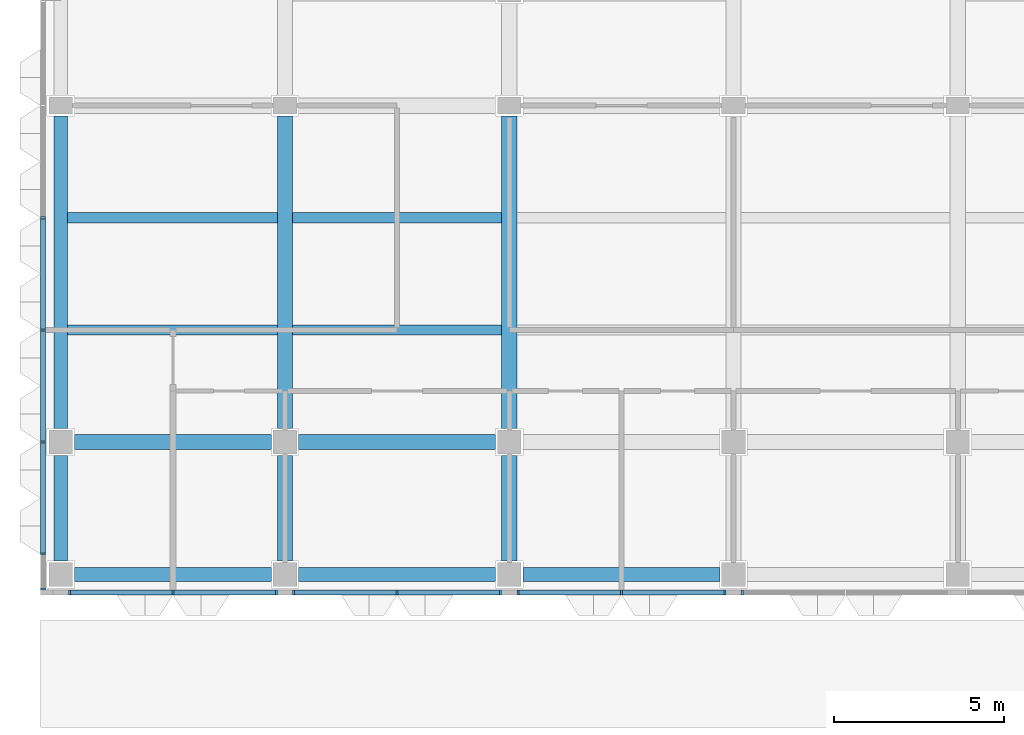
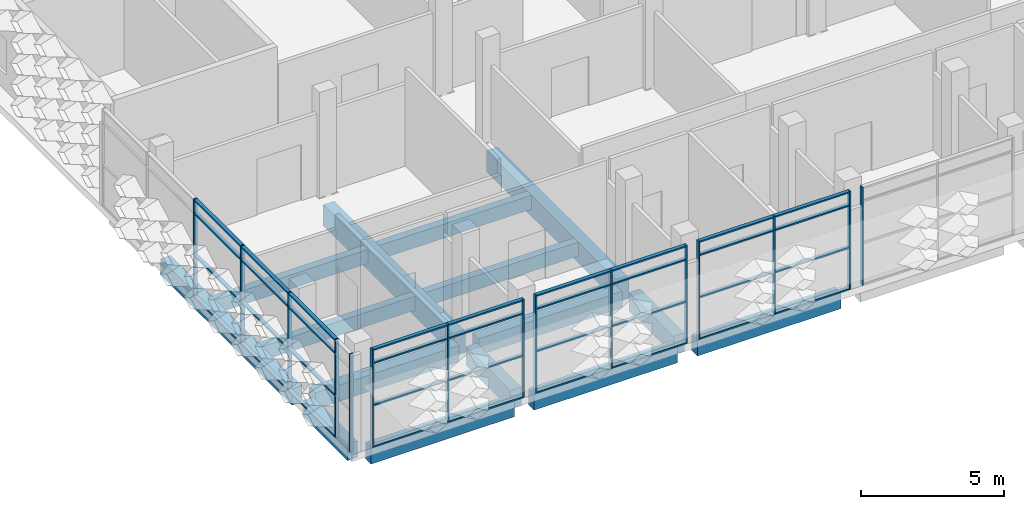
# One storey, part 5 of 109: 51 members, 15 beams, 5 elements without a shape of their own.
"""IFC4 building model written with IfcOpenShell, lengths in metres."""

from ifc_helpers import new_model, si_unit, direction, frame, origin, origin_2d, place, context, subcontext, project, spatial, rectangle, extrude, material, material_profile, profile_set, type_object, element, aggregate, save


model = new_model("IFC4")

# Units and contexts
model_context = context("Model", 3, precision=1e-05, world=origin(), true_north=direction((0.0, 1.0)))
body_context = subcontext(model_context, "Body", "Model", "MODEL_VIEW")
ifc_project = project(units=[si_unit("LENGTHUNIT", "METRE"), si_unit("AREAUNIT", "SQUARE_METRE"), si_unit("VOLUMEUNIT", "CUBIC_METRE"), si_unit("PLANEANGLEUNIT", "RADIAN"), si_unit("MASSUNIT", "GRAM", prefix="KILO")], contexts=[model_context])

# Site, building, storey
site_placement = place(None, origin())
site = spatial("IfcSite", under=ifc_project, at=site_placement, CompositionType="ELEMENT")
building_placement = place(site_placement, origin())
building = spatial("IfcBuilding", under=site, at=building_placement, Name="Lantern Court Research Institute", CompositionType="ELEMENT")
storey_placement = place(building_placement, frame((0.0, 0.0, 14.39990234375)))
storey = spatial("IfcBuildingStorey", under=building, at=storey_placement, Name="L03", CompositionType="ELEMENT", Elevation=14.39990234375)

# Curtain wall, members
ifc_material_1 = material(Name="Aluminium alloy 6063-T6", Category="aluminium")
curtain_wall_type_1 = type_object("IfcCurtainWallType", Name="Curtain wall 6150 x 4200 x 150 aluminium frame", PredefinedType="NOTDEFINED", material=ifc_material_1)
curtain_wall_1_placement = place(storey_placement, origin())
curtain_wall_1 = element("IfcCurtainWall", 1, at=curtain_wall_1_placement, inside=storey, type_object=curtain_wall_type_1, Name="Curtain wall CW048", PredefinedType="NOTDEFINED")
ifc_material_2 = material(Name="Aluminium alloy 6063-T6", Category="aluminium")
ifc_material_profile_1 = material_profile(ifc_material_2, rectangle(XDim=0.14990234375, YDim=0.06005859375, at=origin_2d()), Name="Mullion 150 x 60")
ifc_profile_set_1 = profile_set([ifc_material_profile_1], Name="Aluminium alloy 6063-T6")
member_type_1 = type_object("IfcMemberType", Name="Mullion 150 x 60 aluminium", PredefinedType="MULLION", material=ifc_profile_set_1)
member_1_placement = place(storey_placement, frame((0.2548828125, -4.425048828125, 0.0), z_axis=(0.0, 0.0, 1.0), x_axis=(0.0, -1.0, 0.0)))
member_1 = element("IfcMember", 2, at=member_1_placement, type_object=member_type_1, Name="CW048 mullion 1", PredefinedType="MULLION", context=body_context, shape_type="SweptSolid", body=[
    extrude(rectangle(XDim=0.14990234375, YDim=0.06005859375, at=origin_2d()), origin(), (0.0, 0.0, 1.0), 4.2001953125),
])
member_2_placement = place(storey_placement, frame((3.300048828125, -4.425048828125, 0.0), z_axis=(0.0, 0.0, 1.0), x_axis=(0.0, -1.0, 0.0)))
member_2 = element("IfcMember", 3, at=member_2_placement, type_object=member_type_1, Name="CW048 mullion 2", PredefinedType="MULLION", context=body_context, shape_type="SweptSolid", body=[
    extrude(rectangle(XDim=0.14990234375, YDim=0.06005859375, at=origin_2d()), origin(), (0.0, 0.0, 1.0), 4.2001953125),
])
member_3_placement = place(storey_placement, frame((6.344970703125, -4.425048828125, 0.0), z_axis=(0.0, 0.0, 1.0), x_axis=(0.0, -1.0, 0.0)))
member_3 = element("IfcMember", 4, at=member_3_placement, type_object=member_type_1, Name="CW048 mullion 3", PredefinedType="MULLION", context=body_context, shape_type="SweptSolid", body=[
    extrude(rectangle(XDim=0.14990234375, YDim=0.06005859375, at=origin_2d()), origin(), (0.0, 0.0, 1.0), 4.2001953125),
])

curtain_wall_2_placement = place(storey_placement, origin())
curtain_wall_2 = element("IfcCurtainWall", 5, at=curtain_wall_2_placement, inside=storey, type_object=curtain_wall_type_1, Name="Curtain wall CW049", PredefinedType="NOTDEFINED")
member_4_placement = place(storey_placement, frame((6.85498046875, -4.425048828125, 0.0), z_axis=(0.0, 0.0, 1.0), x_axis=(0.0, -1.0, 0.0)))
member_4 = element("IfcMember", 6, at=member_4_placement, type_object=member_type_1, Name="CW049 mullion 1", PredefinedType="MULLION", context=body_context, shape_type="SweptSolid", body=[
    extrude(rectangle(XDim=0.14990234375, YDim=0.06005859375, at=origin_2d()), origin(), (0.0, 0.0, 1.0), 4.2001953125),
])
member_5_placement = place(storey_placement, frame((9.89990234375, -4.425048828125, 0.0), z_axis=(0.0, 0.0, 1.0), x_axis=(0.0, -1.0, 0.0)))
member_5 = element("IfcMember", 7, at=member_5_placement, type_object=member_type_1, Name="CW049 mullion 2", PredefinedType="MULLION", context=body_context, shape_type="SweptSolid", body=[
    extrude(rectangle(XDim=0.14990234375, YDim=0.06005859375, at=origin_2d()), origin(), (0.0, 0.0, 1.0), 4.2001953125),
])
member_6_placement = place(storey_placement, frame((12.945068359375, -4.425048828125, 0.0), z_axis=(0.0, 0.0, 1.0), x_axis=(0.0, -1.0, 0.0)))
member_6 = element("IfcMember", 8, at=member_6_placement, type_object=member_type_1, Name="CW049 mullion 3", PredefinedType="MULLION", context=body_context, shape_type="SweptSolid", body=[
    extrude(rectangle(XDim=0.14990234375, YDim=0.06005859375, at=origin_2d()), origin(), (0.0, 0.0, 1.0), 4.2001953125),
])

curtain_wall_3_placement = place(storey_placement, origin())
curtain_wall_3 = element("IfcCurtainWall", 9, at=curtain_wall_3_placement, inside=storey, type_object=curtain_wall_type_1, Name="Curtain wall CW050", PredefinedType="NOTDEFINED")
member_7_placement = place(storey_placement, frame((13.455078125, -4.425048828125, 0.0), z_axis=(0.0, 0.0, 1.0), x_axis=(0.0, -1.0, 0.0)))
member_7 = element("IfcMember", 10, at=member_7_placement, type_object=member_type_1, Name="CW050 mullion 1", PredefinedType="MULLION", context=body_context, shape_type="SweptSolid", body=[
    extrude(rectangle(XDim=0.14990234375, YDim=0.06005859375, at=origin_2d()), origin(), (0.0, 0.0, 1.0), 4.2001953125),
])
member_8_placement = place(storey_placement, frame((16.5, -4.425048828125, 0.0), z_axis=(0.0, 0.0, 1.0), x_axis=(0.0, -1.0, 0.0)))
member_8 = element("IfcMember", 11, at=member_8_placement, type_object=member_type_1, Name="CW050 mullion 2", PredefinedType="MULLION", context=body_context, shape_type="SweptSolid", body=[
    extrude(rectangle(XDim=0.14990234375, YDim=0.06005859375, at=origin_2d()), origin(), (0.0, 0.0, 1.0), 4.2001953125),
])
member_9_placement = place(storey_placement, frame((19.544921875, -4.425048828125, 0.0), z_axis=(0.0, 0.0, 1.0), x_axis=(0.0, -1.0, 0.0)))
member_9 = element("IfcMember", 12, at=member_9_placement, type_object=member_type_1, Name="CW050 mullion 3", PredefinedType="MULLION", context=body_context, shape_type="SweptSolid", body=[
    extrude(rectangle(XDim=0.14990234375, YDim=0.06005859375, at=origin_2d()), origin(), (0.0, 0.0, 1.0), 4.2001953125),
])

# Curtain wall, member
curtain_wall_4_placement = place(storey_placement, origin())
curtain_wall_4 = element("IfcCurtainWall", 13, at=curtain_wall_4_placement, inside=storey, type_object=curtain_wall_type_1, Name="Curtain wall CW051", PredefinedType="NOTDEFINED")
member_10_placement = place(storey_placement, frame((20.054931640625, -4.425048828125, 0.0), z_axis=(0.0, 0.0, 1.0), x_axis=(0.0, -1.0, 0.0)))
member_10 = element("IfcMember", 14, at=member_10_placement, type_object=member_type_1, Name="CW051 mullion 1", PredefinedType="MULLION", context=body_context, shape_type="SweptSolid", body=[
    extrude(rectangle(XDim=0.14990234375, YDim=0.06005859375, at=origin_2d()), origin(), (0.0, 0.0, 1.0), 4.2001953125),
])
aggregate(curtain_wall_4, [member_10])

# Curtain wall, members
ifc_material_3 = material(Name="Aluminium alloy 6063-T6", Category="aluminium")
curtain_wall_type_2 = type_object("IfcCurtainWallType", Name="Curtain wall 17350 x 4200 x 150 aluminium frame", PredefinedType="NOTDEFINED", material=ifc_material_3)
curtain_wall_5_placement = place(storey_placement, origin())
curtain_wall_5 = element("IfcCurtainWall", 15, at=curtain_wall_5_placement, inside=storey, type_object=curtain_wall_type_2, Name="Curtain wall CW056", PredefinedType="NOTDEFINED")
member_11_placement = place(storey_placement, frame((-0.52490234375, -4.320068359375, 0.0), z_axis=(0.0, 0.0, 1.0), x_axis=(-1.0, 0.0, 0.0)))
member_11 = element("IfcMember", 16, at=member_11_placement, type_object=member_type_1, Name="CW056 mullion 1", PredefinedType="MULLION", context=body_context, shape_type="SweptSolid", body=[
    extrude(rectangle(XDim=0.14990234375, YDim=0.06005859375, at=origin_2d()), origin(), (0.0, 0.0, 1.0), 4.2001953125),
])
member_12_placement = place(storey_placement, frame((-0.52490234375, -3.300048828125, 0.0), z_axis=(0.0, 0.0, 1.0), x_axis=(-1.0, 0.0, 0.0)))
member_12 = element("IfcMember", 17, at=member_12_placement, type_object=member_type_1, Name="CW056 mullion 2", PredefinedType="MULLION", context=body_context, shape_type="SweptSolid", body=[
    extrude(rectangle(XDim=0.14990234375, YDim=0.06005859375, at=origin_2d()), origin(), (0.0, 0.0, 1.0), 4.2001953125),
])
member_13_placement = place(storey_placement, frame((-0.52490234375, 0.0, 0.0), z_axis=(0.0, 0.0, 1.0), x_axis=(-1.0, 0.0, 0.0)))
member_13 = element("IfcMember", 18, at=member_13_placement, type_object=member_type_1, Name="CW056 mullion 3", PredefinedType="MULLION", context=body_context, shape_type="SweptSolid", body=[
    extrude(rectangle(XDim=0.14990234375, YDim=0.06005859375, at=origin_2d()), origin(), (0.0, 0.0, 1.0), 4.2001953125),
])
member_14_placement = place(storey_placement, frame((-0.52490234375, 3.300048828125, 0.0), z_axis=(0.0, 0.0, 1.0), x_axis=(-1.0, 0.0, 0.0)))
member_14 = element("IfcMember", 19, at=member_14_placement, type_object=member_type_1, Name="CW056 mullion 4", PredefinedType="MULLION", context=body_context, shape_type="SweptSolid", body=[
    extrude(rectangle(XDim=0.14990234375, YDim=0.06005859375, at=origin_2d()), origin(), (0.0, 0.0, 1.0), 4.2001953125),
])
member_15_placement = place(storey_placement, frame((-0.52490234375, 6.60009765625, 0.0), z_axis=(0.0, 0.0, 1.0), x_axis=(-1.0, 0.0, 0.0)))
member_15 = element("IfcMember", 20, at=member_15_placement, type_object=member_type_1, Name="CW056 mullion 5", PredefinedType="MULLION", context=body_context, shape_type="SweptSolid", body=[
    extrude(rectangle(XDim=0.14990234375, YDim=0.06005859375, at=origin_2d()), origin(), (0.0, 0.0, 1.0), 4.2001953125),
])

# Beams
ifc_material_4 = material(Name="Concrete C40/50", Category="concrete")
ifc_material_profile_2 = material_profile(ifc_material_4, rectangle(XDim=0.449951171875, YDim=0.699951171875, at=origin_2d()), Name="RC beam 450 x 700")
ifc_profile_set_2 = profile_set([ifc_material_profile_2], Name="Concrete C40/50")
beam_type_1 = type_object("IfcBeamType", Name="RC beam 450 x 700", PredefinedType="BEAM", material=ifc_profile_set_2)
for number, where, z_axis, x_axis, name in (
    (21, (0.39990234375, 0.0, -0.64990234375), (1.0, 0.0, 0.0), (0.0, 1.0, 0.0), "Beam L03 grid A/1-2"),
    (22, (7.0, 0.0, -0.64990234375), (1.0, 0.0, 0.0), (0.0, 1.0, 0.0), "Beam L03 grid A/2-3"),
):
    element("IfcBeam", number, at=place(storey_placement, frame(where, z_axis=z_axis, x_axis=x_axis)), inside=storey, type_object=beam_type_1, Name=name, PredefinedType="BEAM", context=body_context, shape_type="SweptSolid", body=[
        extrude(rectangle(XDim=0.449951171875, YDim=0.699951171875, at=origin_2d()), origin(), (0.0, 0.0, 1.0), 5.800048828125),
    ])
ifc_material_5 = material(Name="Concrete C40/50", Category="concrete")
ifc_material_profile_3 = material_profile(ifc_material_5, rectangle(XDim=0.39990234375, YDim=0.699951171875, at=origin_2d()), Name="RC beam 400 x 700")
ifc_profile_set_3 = profile_set([ifc_material_profile_3], Name="Concrete C40/50")
beam_type_2 = type_object("IfcBeamType", Name="RC edge beam 400 x 700", PredefinedType="BEAM", material=ifc_profile_set_3)
beam_1_placement = place(storey_placement, frame((0.0, -3.5, -0.64990234375), z_axis=(0.0, 1.0, 0.0), x_axis=(-1.0, 0.0, 0.0)))
element("IfcBeam", 23, at=beam_1_placement, inside=storey, type_object=beam_type_2, Name="Edge beam L03 grid 1/Y-A", PredefinedType="BEAM", context=body_context, shape_type="SweptSolid", body=[
    extrude(rectangle(XDim=0.39990234375, YDim=0.699951171875, at=origin_2d()), origin(), (0.0, 0.0, 1.0), 3.10009765625),
])
beam_2_placement = place(storey_placement, frame((0.0, 0.39990234375, -0.64990234375), z_axis=(0.0, 1.0, 0.0), x_axis=(-1.0, 0.0, 0.0)))
element("IfcBeam", 24, at=beam_2_placement, inside=storey, type_object=beam_type_2, Name="Edge beam L03 grid 1/A-B", PredefinedType="BEAM", context=body_context, shape_type="SweptSolid", body=[
    extrude(rectangle(XDim=0.39990234375, YDim=0.699951171875, at=origin_2d()), origin(), (0.0, 0.0, 1.0), 9.2001953125),
])
for number, where, z_axis, x_axis, name in (
    (25, (0.39990234375, -3.89990234375, -0.64990234375), (1.0, 0.0, 0.0), (0.0, 1.0, 0.0), "Edge beam L03 grid Y/1-2"),
    (26, (7.0, -3.89990234375, -0.64990234375), (1.0, 0.0, 0.0), (0.0, 1.0, 0.0), "Edge beam L03 grid Y/2-3"),
):
    element("IfcBeam", number, at=place(storey_placement, frame(where, z_axis=z_axis, x_axis=x_axis)), inside=storey, type_object=beam_type_2, Name=name, PredefinedType="BEAM", context=body_context, shape_type="SweptSolid", body=[
        extrude(rectangle(XDim=0.39990234375, YDim=0.699951171875, at=origin_2d()), origin(), (0.0, 0.0, 1.0), 5.800048828125),
    ])
beam_3_placement = place(storey_placement, frame((13.60009765625, -3.89990234375, -0.64990234375), z_axis=(1.0, 0.0, 0.0), x_axis=(0.0, 1.0, 0.0)))
element("IfcBeam", 27, at=beam_3_placement, inside=storey, type_object=beam_type_2, Name="Edge beam L03 grid Y/3-4", PredefinedType="BEAM", context=body_context, shape_type="SweptSolid", body=[
    extrude(rectangle(XDim=0.39990234375, YDim=0.699951171875, at=origin_2d()), origin(), (0.0, 0.0, 1.0), 5.7998046875),
])
ifc_material_6 = material(Name="Concrete C40/50", Category="concrete")
ifc_material_profile_4 = material_profile(ifc_material_6, rectangle(XDim=0.449951171875, YDim=0.800048828125, at=origin_2d()), Name="RC beam 450 x 800")
ifc_profile_set_4 = profile_set([ifc_material_profile_4], Name="Concrete C40/50")
beam_type_3 = type_object("IfcBeamType", Name="RC girder 450 x 800", PredefinedType="BEAM", material=ifc_profile_set_4)
for number, where, z_axis, x_axis, name in (
    (28, (6.60009765625, -3.5, -0.699951171875), (0.0, 1.0, 0.0), (-1.0, 0.0, 0.0), "Girder L03 grid 2/Y-A"),
    (29, (13.199951171875, -3.5, -0.699951171875), (0.0, 1.0, 0.0), (-1.0, 0.0, 0.0), "Girder L03 grid 3/Y-A"),
):
    element("IfcBeam", number, at=place(storey_placement, frame(where, z_axis=z_axis, x_axis=x_axis)), inside=storey, type_object=beam_type_3, Name=name, PredefinedType="BEAM", context=body_context, shape_type="SweptSolid", body=[
        extrude(rectangle(XDim=0.449951171875, YDim=0.800048828125, at=origin_2d()), origin(), (0.0, 0.0, 1.0), 3.10009765625),
    ])
ifc_material_7 = material(Name="Concrete C40/50", Category="concrete")
ifc_material_profile_5 = material_profile(ifc_material_7, rectangle(XDim=0.449951171875, YDim=0.89990234375, at=origin_2d()), Name="RC beam 450 x 900")
ifc_profile_set_5 = profile_set([ifc_material_profile_5], Name="Concrete C40/50")
beam_type_4 = type_object("IfcBeamType", Name="RC girder 450 x 900", PredefinedType="BEAM", material=ifc_profile_set_5)
for number, where, z_axis, x_axis, name in (
    (30, (6.60009765625, 0.39990234375, -0.75), (0.0, 1.0, 0.0), (-1.0, 0.0, 0.0), "Girder L03 grid 2/A-B"),
    (31, (13.199951171875, 0.39990234375, -0.75), (0.0, 1.0, 0.0), (-1.0, 0.0, 0.0), "Girder L03 grid 3/A-B"),
):
    element("IfcBeam", number, at=place(storey_placement, frame(where, z_axis=z_axis, x_axis=x_axis)), inside=storey, type_object=beam_type_4, Name=name, PredefinedType="BEAM", context=body_context, shape_type="SweptSolid", body=[
        extrude(rectangle(XDim=0.449951171875, YDim=0.89990234375, at=origin_2d()), origin(), (0.0, 0.0, 1.0), 9.2001953125),
    ])
ifc_material_8 = material(Name="Concrete C40/50", Category="concrete")
ifc_material_profile_6 = material_profile(ifc_material_8, rectangle(XDim=0.300048828125, YDim=0.60009765625, at=origin_2d()), Name="RC beam 300 x 600")
ifc_profile_set_6 = profile_set([ifc_material_profile_6], Name="Concrete C40/50")
beam_type_5 = type_object("IfcBeamType", Name="RC secondary beam 300 x 600", PredefinedType="BEAM", material=ifc_profile_set_6)
beam_4_placement = place(storey_placement, frame((0.199951171875, 3.300048828125, -0.599853515625), z_axis=(1.0, 0.0, 0.0), x_axis=(0.0, 1.0, 0.0)))
element("IfcBeam", 32, at=beam_4_placement, inside=storey, type_object=beam_type_5, Name="Secondary beam L03 grids 1-2 / A-B, line 1", PredefinedType="BEAM", context=body_context, shape_type="SweptSolid", body=[
    extrude(rectangle(XDim=0.300048828125, YDim=0.60009765625, at=origin_2d()), origin(), (0.0, 0.0, 1.0), 6.175048828125),
])
beam_5_placement = place(storey_placement, frame((6.824951171875, 3.300048828125, -0.599853515625), z_axis=(1.0, 0.0, 0.0), x_axis=(0.0, 1.0, 0.0)))
element("IfcBeam", 33, at=beam_5_placement, inside=storey, type_object=beam_type_5, Name="Secondary beam L03 grids 2-3 / A-B, line 1", PredefinedType="BEAM", context=body_context, shape_type="SweptSolid", body=[
    extrude(rectangle(XDim=0.300048828125, YDim=0.60009765625, at=origin_2d()), origin(), (0.0, 0.0, 1.0), 6.150146484375),
])
beam_6_placement = place(storey_placement, frame((0.199951171875, 6.60009765625, -0.599853515625), z_axis=(1.0, 0.0, 0.0), x_axis=(0.0, 1.0, 0.0)))
element("IfcBeam", 34, at=beam_6_placement, inside=storey, type_object=beam_type_5, Name="Secondary beam L03 grids 1-2 / A-B, line 2", PredefinedType="BEAM", context=body_context, shape_type="SweptSolid", body=[
    extrude(rectangle(XDim=0.300048828125, YDim=0.60009765625, at=origin_2d()), origin(), (0.0, 0.0, 1.0), 6.175048828125),
])
beam_7_placement = place(storey_placement, frame((6.824951171875, 6.60009765625, -0.599853515625), z_axis=(1.0, 0.0, 0.0), x_axis=(0.0, 1.0, 0.0)))
element("IfcBeam", 35, at=beam_7_placement, inside=storey, type_object=beam_type_5, Name="Secondary beam L03 grids 2-3 / A-B, line 2", PredefinedType="BEAM", context=body_context, shape_type="SweptSolid", body=[
    extrude(rectangle(XDim=0.300048828125, YDim=0.60009765625, at=origin_2d()), origin(), (0.0, 0.0, 1.0), 6.150146484375),
])

# Member
ifc_material_9 = material(Name="Aluminium alloy 6063-T6", Category="aluminium")
ifc_material_profile_7 = material_profile(ifc_material_9, rectangle(XDim=0.14990234375, YDim=0.06005859375, at=origin_2d()), Name="Transom 150 x 60")
ifc_profile_set_7 = profile_set([ifc_material_profile_7], Name="Aluminium alloy 6063-T6")
member_type_2 = type_object("IfcMemberType", Name="Transom 150 x 60 aluminium", PredefinedType="USERDEFINED", material=ifc_profile_set_7)
member_16_placement = place(storey_placement, frame((3.27001953125, -4.425048828125, 0.030029296875), z_axis=(-1.0, 0.0, 0.0), x_axis=(0.0, -1.0, 0.0)))
member_16 = element("IfcMember", 36, at=member_16_placement, type_object=member_type_2, Name="CW048 transom 1.1", ObjectType="TRANSOM", PredefinedType="USERDEFINED", context=body_context, shape_type="SweptSolid", body=[
    extrude(rectangle(XDim=0.14990234375, YDim=0.06005859375, at=origin_2d()), origin(), (0.0, 0.0, 1.0), 2.985107421875),
])

member_17_placement = place(storey_placement, frame((3.27001953125, -4.425048828125, 1.800048828125), z_axis=(-1.0, 0.0, 0.0), x_axis=(0.0, -1.0, 0.0)))
member_17 = element("IfcMember", 37, at=member_17_placement, type_object=member_type_2, Name="CW048 transom 1.2", ObjectType="TRANSOM", PredefinedType="USERDEFINED", context=body_context, shape_type="SweptSolid", body=[
    extrude(rectangle(XDim=0.14990234375, YDim=0.06005859375, at=origin_2d()), origin(), (0.0, 0.0, 1.0), 2.985107421875),
])

member_18_placement = place(storey_placement, frame((3.27001953125, -4.425048828125, 3.60009765625), z_axis=(-1.0, 0.0, 0.0), x_axis=(0.0, -1.0, 0.0)))
member_18 = element("IfcMember", 38, at=member_18_placement, type_object=member_type_2, Name="CW048 transom 1.3", ObjectType="TRANSOM", PredefinedType="USERDEFINED", context=body_context, shape_type="SweptSolid", body=[
    extrude(rectangle(XDim=0.14990234375, YDim=0.06005859375, at=origin_2d()), origin(), (0.0, 0.0, 1.0), 2.985107421875),
])

member_19_placement = place(storey_placement, frame((3.27001953125, -4.425048828125, 4.170166015625), z_axis=(-1.0, 0.0, 0.0), x_axis=(0.0, -1.0, 0.0)))
member_19 = element("IfcMember", 39, at=member_19_placement, type_object=member_type_2, Name="CW048 transom 1.4", ObjectType="TRANSOM", PredefinedType="USERDEFINED", context=body_context, shape_type="SweptSolid", body=[
    extrude(rectangle(XDim=0.14990234375, YDim=0.06005859375, at=origin_2d()), origin(), (0.0, 0.0, 1.0), 2.985107421875),
])

member_20_placement = place(storey_placement, frame((6.31494140625, -4.425048828125, 0.030029296875), z_axis=(-1.0, 0.0, 0.0), x_axis=(0.0, -1.0, 0.0)))
member_20 = element("IfcMember", 40, at=member_20_placement, type_object=member_type_2, Name="CW048 transom 2.1", ObjectType="TRANSOM", PredefinedType="USERDEFINED", context=body_context, shape_type="SweptSolid", body=[
    extrude(rectangle(XDim=0.14990234375, YDim=0.06005859375, at=origin_2d()), origin(), (0.0, 0.0, 1.0), 2.98486328125),
])

member_21_placement = place(storey_placement, frame((6.31494140625, -4.425048828125, 1.800048828125), z_axis=(-1.0, 0.0, 0.0), x_axis=(0.0, -1.0, 0.0)))
member_21 = element("IfcMember", 41, at=member_21_placement, type_object=member_type_2, Name="CW048 transom 2.2", ObjectType="TRANSOM", PredefinedType="USERDEFINED", context=body_context, shape_type="SweptSolid", body=[
    extrude(rectangle(XDim=0.14990234375, YDim=0.06005859375, at=origin_2d()), origin(), (0.0, 0.0, 1.0), 2.98486328125),
])

member_22_placement = place(storey_placement, frame((6.31494140625, -4.425048828125, 3.60009765625), z_axis=(-1.0, 0.0, 0.0), x_axis=(0.0, -1.0, 0.0)))
member_22 = element("IfcMember", 42, at=member_22_placement, type_object=member_type_2, Name="CW048 transom 2.3", ObjectType="TRANSOM", PredefinedType="USERDEFINED", context=body_context, shape_type="SweptSolid", body=[
    extrude(rectangle(XDim=0.14990234375, YDim=0.06005859375, at=origin_2d()), origin(), (0.0, 0.0, 1.0), 2.98486328125),
])

member_23_placement = place(storey_placement, frame((6.31494140625, -4.425048828125, 4.170166015625), z_axis=(-1.0, 0.0, 0.0), x_axis=(0.0, -1.0, 0.0)))
member_23 = element("IfcMember", 43, at=member_23_placement, type_object=member_type_2, Name="CW048 transom 2.4", ObjectType="TRANSOM", PredefinedType="USERDEFINED", context=body_context, shape_type="SweptSolid", body=[
    extrude(rectangle(XDim=0.14990234375, YDim=0.06005859375, at=origin_2d()), origin(), (0.0, 0.0, 1.0), 2.98486328125),
])

aggregate(curtain_wall_1, [member_1, member_2, member_3, member_16, member_17, member_18, member_19, member_20, member_21, member_22, member_23])

member_24_placement = place(storey_placement, frame((9.8701171875, -4.425048828125, 0.030029296875), z_axis=(-1.0, 0.0, 0.0), x_axis=(0.0, -1.0, 0.0)))
member_24 = element("IfcMember", 44, at=member_24_placement, type_object=member_type_2, Name="CW049 transom 1.1", ObjectType="TRANSOM", PredefinedType="USERDEFINED", context=body_context, shape_type="SweptSolid", body=[
    extrude(rectangle(XDim=0.14990234375, YDim=0.06005859375, at=origin_2d()), origin(), (0.0, 0.0, 1.0), 2.985107421875),
])

member_25_placement = place(storey_placement, frame((9.8701171875, -4.425048828125, 1.800048828125), z_axis=(-1.0, 0.0, 0.0), x_axis=(0.0, -1.0, 0.0)))
member_25 = element("IfcMember", 45, at=member_25_placement, type_object=member_type_2, Name="CW049 transom 1.2", ObjectType="TRANSOM", PredefinedType="USERDEFINED", context=body_context, shape_type="SweptSolid", body=[
    extrude(rectangle(XDim=0.14990234375, YDim=0.06005859375, at=origin_2d()), origin(), (0.0, 0.0, 1.0), 2.985107421875),
])

member_26_placement = place(storey_placement, frame((9.8701171875, -4.425048828125, 3.60009765625), z_axis=(-1.0, 0.0, 0.0), x_axis=(0.0, -1.0, 0.0)))
member_26 = element("IfcMember", 46, at=member_26_placement, type_object=member_type_2, Name="CW049 transom 1.3", ObjectType="TRANSOM", PredefinedType="USERDEFINED", context=body_context, shape_type="SweptSolid", body=[
    extrude(rectangle(XDim=0.14990234375, YDim=0.06005859375, at=origin_2d()), origin(), (0.0, 0.0, 1.0), 2.985107421875),
])

member_27_placement = place(storey_placement, frame((9.8701171875, -4.425048828125, 4.170166015625), z_axis=(-1.0, 0.0, 0.0), x_axis=(0.0, -1.0, 0.0)))
member_27 = element("IfcMember", 47, at=member_27_placement, type_object=member_type_2, Name="CW049 transom 1.4", ObjectType="TRANSOM", PredefinedType="USERDEFINED", context=body_context, shape_type="SweptSolid", body=[
    extrude(rectangle(XDim=0.14990234375, YDim=0.06005859375, at=origin_2d()), origin(), (0.0, 0.0, 1.0), 2.985107421875),
])

member_28_placement = place(storey_placement, frame((12.9150390625, -4.425048828125, 0.030029296875), z_axis=(-1.0, 0.0, 0.0), x_axis=(0.0, -1.0, 0.0)))
member_28 = element("IfcMember", 48, at=member_28_placement, type_object=member_type_2, Name="CW049 transom 2.1", ObjectType="TRANSOM", PredefinedType="USERDEFINED", context=body_context, shape_type="SweptSolid", body=[
    extrude(rectangle(XDim=0.14990234375, YDim=0.06005859375, at=origin_2d()), origin(), (0.0, 0.0, 1.0), 2.985107421875),
])

member_29_placement = place(storey_placement, frame((12.9150390625, -4.425048828125, 1.800048828125), z_axis=(-1.0, 0.0, 0.0), x_axis=(0.0, -1.0, 0.0)))
member_29 = element("IfcMember", 49, at=member_29_placement, type_object=member_type_2, Name="CW049 transom 2.2", ObjectType="TRANSOM", PredefinedType="USERDEFINED", context=body_context, shape_type="SweptSolid", body=[
    extrude(rectangle(XDim=0.14990234375, YDim=0.06005859375, at=origin_2d()), origin(), (0.0, 0.0, 1.0), 2.985107421875),
])

member_30_placement = place(storey_placement, frame((12.9150390625, -4.425048828125, 3.60009765625), z_axis=(-1.0, 0.0, 0.0), x_axis=(0.0, -1.0, 0.0)))
member_30 = element("IfcMember", 50, at=member_30_placement, type_object=member_type_2, Name="CW049 transom 2.3", ObjectType="TRANSOM", PredefinedType="USERDEFINED", context=body_context, shape_type="SweptSolid", body=[
    extrude(rectangle(XDim=0.14990234375, YDim=0.06005859375, at=origin_2d()), origin(), (0.0, 0.0, 1.0), 2.985107421875),
])

member_31_placement = place(storey_placement, frame((12.9150390625, -4.425048828125, 4.170166015625), z_axis=(-1.0, 0.0, 0.0), x_axis=(0.0, -1.0, 0.0)))
member_31 = element("IfcMember", 51, at=member_31_placement, type_object=member_type_2, Name="CW049 transom 2.4", ObjectType="TRANSOM", PredefinedType="USERDEFINED", context=body_context, shape_type="SweptSolid", body=[
    extrude(rectangle(XDim=0.14990234375, YDim=0.06005859375, at=origin_2d()), origin(), (0.0, 0.0, 1.0), 2.985107421875),
])

aggregate(curtain_wall_2, [member_4, member_5, member_6, member_24, member_25, member_26, member_27, member_28, member_29, member_30, member_31])

member_32_placement = place(storey_placement, frame((16.469970703125, -4.425048828125, 0.030029296875), z_axis=(-1.0, 0.0, 0.0), x_axis=(0.0, -1.0, 0.0)))
member_32 = element("IfcMember", 52, at=member_32_placement, type_object=member_type_2, Name="CW050 transom 1.1", ObjectType="TRANSOM", PredefinedType="USERDEFINED", context=body_context, shape_type="SweptSolid", body=[
    extrude(rectangle(XDim=0.14990234375, YDim=0.06005859375, at=origin_2d()), origin(), (0.0, 0.0, 1.0), 2.98486328125),
])

member_33_placement = place(storey_placement, frame((16.469970703125, -4.425048828125, 1.800048828125), z_axis=(-1.0, 0.0, 0.0), x_axis=(0.0, -1.0, 0.0)))
member_33 = element("IfcMember", 53, at=member_33_placement, type_object=member_type_2, Name="CW050 transom 1.2", ObjectType="TRANSOM", PredefinedType="USERDEFINED", context=body_context, shape_type="SweptSolid", body=[
    extrude(rectangle(XDim=0.14990234375, YDim=0.06005859375, at=origin_2d()), origin(), (0.0, 0.0, 1.0), 2.98486328125),
])

member_34_placement = place(storey_placement, frame((16.469970703125, -4.425048828125, 3.60009765625), z_axis=(-1.0, 0.0, 0.0), x_axis=(0.0, -1.0, 0.0)))
member_34 = element("IfcMember", 54, at=member_34_placement, type_object=member_type_2, Name="CW050 transom 1.3", ObjectType="TRANSOM", PredefinedType="USERDEFINED", context=body_context, shape_type="SweptSolid", body=[
    extrude(rectangle(XDim=0.14990234375, YDim=0.06005859375, at=origin_2d()), origin(), (0.0, 0.0, 1.0), 2.98486328125),
])

member_35_placement = place(storey_placement, frame((16.469970703125, -4.425048828125, 4.170166015625), z_axis=(-1.0, 0.0, 0.0), x_axis=(0.0, -1.0, 0.0)))
member_35 = element("IfcMember", 55, at=member_35_placement, type_object=member_type_2, Name="CW050 transom 1.4", ObjectType="TRANSOM", PredefinedType="USERDEFINED", context=body_context, shape_type="SweptSolid", body=[
    extrude(rectangle(XDim=0.14990234375, YDim=0.06005859375, at=origin_2d()), origin(), (0.0, 0.0, 1.0), 2.98486328125),
])

member_36_placement = place(storey_placement, frame((19.514892578125, -4.425048828125, 0.030029296875), z_axis=(-1.0, 0.0, 0.0), x_axis=(0.0, -1.0, 0.0)))
member_36 = element("IfcMember", 56, at=member_36_placement, type_object=member_type_2, Name="CW050 transom 2.1", ObjectType="TRANSOM", PredefinedType="USERDEFINED", context=body_context, shape_type="SweptSolid", body=[
    extrude(rectangle(XDim=0.14990234375, YDim=0.06005859375, at=origin_2d()), origin(), (0.0, 0.0, 1.0), 2.98486328125),
])

member_37_placement = place(storey_placement, frame((19.514892578125, -4.425048828125, 1.800048828125), z_axis=(-1.0, 0.0, 0.0), x_axis=(0.0, -1.0, 0.0)))
member_37 = element("IfcMember", 57, at=member_37_placement, type_object=member_type_2, Name="CW050 transom 2.2", ObjectType="TRANSOM", PredefinedType="USERDEFINED", context=body_context, shape_type="SweptSolid", body=[
    extrude(rectangle(XDim=0.14990234375, YDim=0.06005859375, at=origin_2d()), origin(), (0.0, 0.0, 1.0), 2.98486328125),
])

member_38_placement = place(storey_placement, frame((19.514892578125, -4.425048828125, 3.60009765625), z_axis=(-1.0, 0.0, 0.0), x_axis=(0.0, -1.0, 0.0)))
member_38 = element("IfcMember", 58, at=member_38_placement, type_object=member_type_2, Name="CW050 transom 2.3", ObjectType="TRANSOM", PredefinedType="USERDEFINED", context=body_context, shape_type="SweptSolid", body=[
    extrude(rectangle(XDim=0.14990234375, YDim=0.06005859375, at=origin_2d()), origin(), (0.0, 0.0, 1.0), 2.98486328125),
])

member_39_placement = place(storey_placement, frame((19.514892578125, -4.425048828125, 4.170166015625), z_axis=(-1.0, 0.0, 0.0), x_axis=(0.0, -1.0, 0.0)))
member_39 = element("IfcMember", 59, at=member_39_placement, type_object=member_type_2, Name="CW050 transom 2.4", ObjectType="TRANSOM", PredefinedType="USERDEFINED", context=body_context, shape_type="SweptSolid", body=[
    extrude(rectangle(XDim=0.14990234375, YDim=0.06005859375, at=origin_2d()), origin(), (0.0, 0.0, 1.0), 2.98486328125),
])

aggregate(curtain_wall_3, [member_7, member_8, member_9, member_32, member_33, member_34, member_35, member_36, member_37, member_38, member_39])

member_40_placement = place(storey_placement, frame((-0.52490234375, -3.27001953125, 0.030029296875), z_axis=(0.0, 1.0, 0.0), x_axis=(-1.0, 0.0, 0.0)))
member_40 = element("IfcMember", 60, at=member_40_placement, type_object=member_type_2, Name="CW056 transom 2.1", ObjectType="TRANSOM", PredefinedType="USERDEFINED", context=body_context, shape_type="SweptSolid", body=[
    extrude(rectangle(XDim=0.14990234375, YDim=0.06005859375, at=origin_2d()), origin(), (0.0, 0.0, 1.0), 3.239990234375),
])

member_41_placement = place(storey_placement, frame((-0.52490234375, -3.27001953125, 1.800048828125), z_axis=(0.0, 1.0, 0.0), x_axis=(-1.0, 0.0, 0.0)))
member_41 = element("IfcMember", 61, at=member_41_placement, type_object=member_type_2, Name="CW056 transom 2.2", ObjectType="TRANSOM", PredefinedType="USERDEFINED", context=body_context, shape_type="SweptSolid", body=[
    extrude(rectangle(XDim=0.14990234375, YDim=0.06005859375, at=origin_2d()), origin(), (0.0, 0.0, 1.0), 3.239990234375),
])

member_42_placement = place(storey_placement, frame((-0.52490234375, -3.27001953125, 3.60009765625), z_axis=(0.0, 1.0, 0.0), x_axis=(-1.0, 0.0, 0.0)))
member_42 = element("IfcMember", 62, at=member_42_placement, type_object=member_type_2, Name="CW056 transom 2.3", ObjectType="TRANSOM", PredefinedType="USERDEFINED", context=body_context, shape_type="SweptSolid", body=[
    extrude(rectangle(XDim=0.14990234375, YDim=0.06005859375, at=origin_2d()), origin(), (0.0, 0.0, 1.0), 3.239990234375),
])

member_43_placement = place(storey_placement, frame((-0.52490234375, -3.27001953125, 4.170166015625), z_axis=(0.0, 1.0, 0.0), x_axis=(-1.0, 0.0, 0.0)))
member_43 = element("IfcMember", 63, at=member_43_placement, type_object=member_type_2, Name="CW056 transom 2.4", ObjectType="TRANSOM", PredefinedType="USERDEFINED", context=body_context, shape_type="SweptSolid", body=[
    extrude(rectangle(XDim=0.14990234375, YDim=0.06005859375, at=origin_2d()), origin(), (0.0, 0.0, 1.0), 3.239990234375),
])

member_44_placement = place(storey_placement, frame((-0.52490234375, 0.030029296875, 0.030029296875), z_axis=(0.0, 1.0, 0.0), x_axis=(-1.0, 0.0, 0.0)))
member_44 = element("IfcMember", 64, at=member_44_placement, type_object=member_type_2, Name="CW056 transom 3.1", ObjectType="TRANSOM", PredefinedType="USERDEFINED", context=body_context, shape_type="SweptSolid", body=[
    extrude(rectangle(XDim=0.14990234375, YDim=0.06005859375, at=origin_2d()), origin(), (0.0, 0.0, 1.0), 3.239990234375),
])

member_45_placement = place(storey_placement, frame((-0.52490234375, 0.030029296875, 1.800048828125), z_axis=(0.0, 1.0, 0.0), x_axis=(-1.0, 0.0, 0.0)))
member_45 = element("IfcMember", 65, at=member_45_placement, type_object=member_type_2, Name="CW056 transom 3.2", ObjectType="TRANSOM", PredefinedType="USERDEFINED", context=body_context, shape_type="SweptSolid", body=[
    extrude(rectangle(XDim=0.14990234375, YDim=0.06005859375, at=origin_2d()), origin(), (0.0, 0.0, 1.0), 3.239990234375),
])

member_46_placement = place(storey_placement, frame((-0.52490234375, 0.030029296875, 3.60009765625), z_axis=(0.0, 1.0, 0.0), x_axis=(-1.0, 0.0, 0.0)))
member_46 = element("IfcMember", 66, at=member_46_placement, type_object=member_type_2, Name="CW056 transom 3.3", ObjectType="TRANSOM", PredefinedType="USERDEFINED", context=body_context, shape_type="SweptSolid", body=[
    extrude(rectangle(XDim=0.14990234375, YDim=0.06005859375, at=origin_2d()), origin(), (0.0, 0.0, 1.0), 3.239990234375),
])

member_47_placement = place(storey_placement, frame((-0.52490234375, 0.030029296875, 4.170166015625), z_axis=(0.0, 1.0, 0.0), x_axis=(-1.0, 0.0, 0.0)))
member_47 = element("IfcMember", 67, at=member_47_placement, type_object=member_type_2, Name="CW056 transom 3.4", ObjectType="TRANSOM", PredefinedType="USERDEFINED", context=body_context, shape_type="SweptSolid", body=[
    extrude(rectangle(XDim=0.14990234375, YDim=0.06005859375, at=origin_2d()), origin(), (0.0, 0.0, 1.0), 3.239990234375),
])

member_48_placement = place(storey_placement, frame((-0.52490234375, 3.330078125, 0.030029296875), z_axis=(0.0, 1.0, 0.0), x_axis=(-1.0, 0.0, 0.0)))
member_48 = element("IfcMember", 68, at=member_48_placement, type_object=member_type_2, Name="CW056 transom 4.1", ObjectType="TRANSOM", PredefinedType="USERDEFINED", context=body_context, shape_type="SweptSolid", body=[
    extrude(rectangle(XDim=0.14990234375, YDim=0.06005859375, at=origin_2d()), origin(), (0.0, 0.0, 1.0), 3.239990234375),
])

member_49_placement = place(storey_placement, frame((-0.52490234375, 3.330078125, 1.800048828125), z_axis=(0.0, 1.0, 0.0), x_axis=(-1.0, 0.0, 0.0)))
member_49 = element("IfcMember", 69, at=member_49_placement, type_object=member_type_2, Name="CW056 transom 4.2", ObjectType="TRANSOM", PredefinedType="USERDEFINED", context=body_context, shape_type="SweptSolid", body=[
    extrude(rectangle(XDim=0.14990234375, YDim=0.06005859375, at=origin_2d()), origin(), (0.0, 0.0, 1.0), 3.239990234375),
])

member_50_placement = place(storey_placement, frame((-0.52490234375, 3.330078125, 3.60009765625), z_axis=(0.0, 1.0, 0.0), x_axis=(-1.0, 0.0, 0.0)))
member_50 = element("IfcMember", 70, at=member_50_placement, type_object=member_type_2, Name="CW056 transom 4.3", ObjectType="TRANSOM", PredefinedType="USERDEFINED", context=body_context, shape_type="SweptSolid", body=[
    extrude(rectangle(XDim=0.14990234375, YDim=0.06005859375, at=origin_2d()), origin(), (0.0, 0.0, 1.0), 3.239990234375),
])

member_51_placement = place(storey_placement, frame((-0.52490234375, 3.330078125, 4.170166015625), z_axis=(0.0, 1.0, 0.0), x_axis=(-1.0, 0.0, 0.0)))
member_51 = element("IfcMember", 71, at=member_51_placement, type_object=member_type_2, Name="CW056 transom 4.4", ObjectType="TRANSOM", PredefinedType="USERDEFINED", context=body_context, shape_type="SweptSolid", body=[
    extrude(rectangle(XDim=0.14990234375, YDim=0.06005859375, at=origin_2d()), origin(), (0.0, 0.0, 1.0), 3.239990234375),
])

aggregate(curtain_wall_5, [member_11, member_12, member_13, member_14, member_15, member_40, member_41, member_42, member_43, member_44, member_45, member_46, member_47, member_48, member_49, member_50, member_51])

save(model, "model.ifc")
